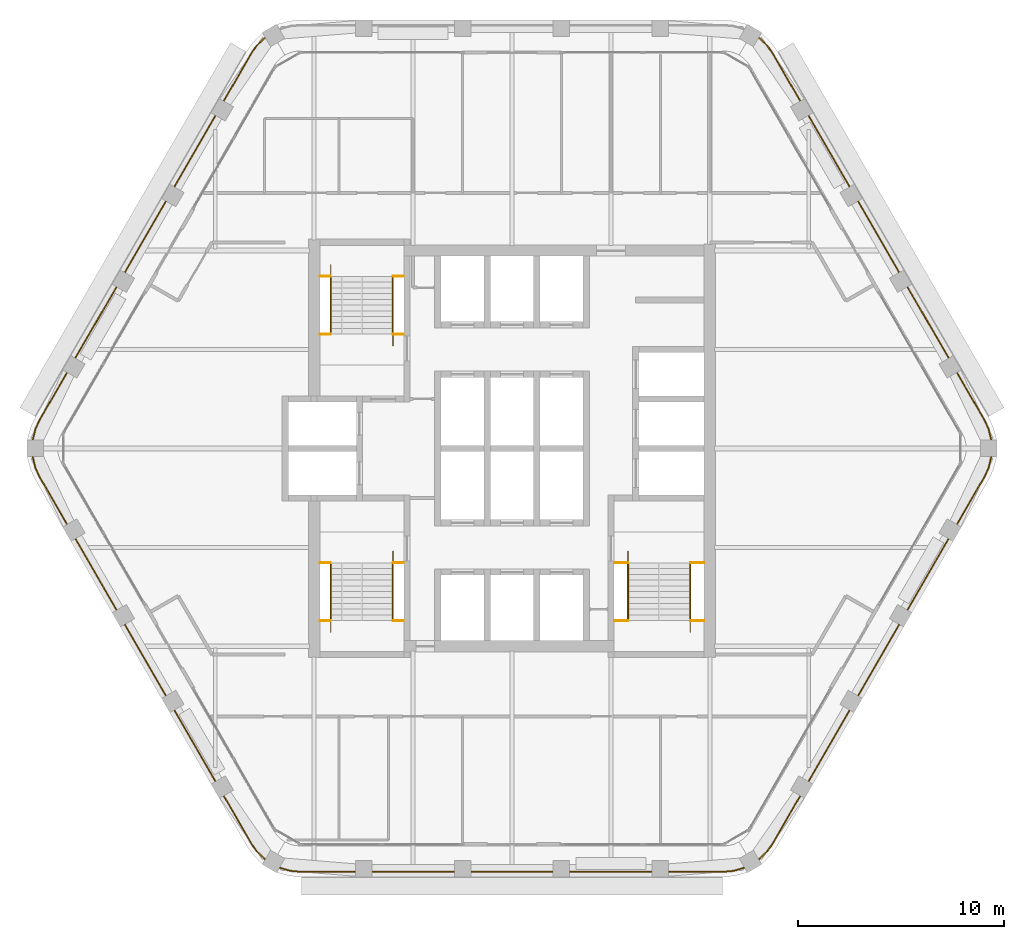
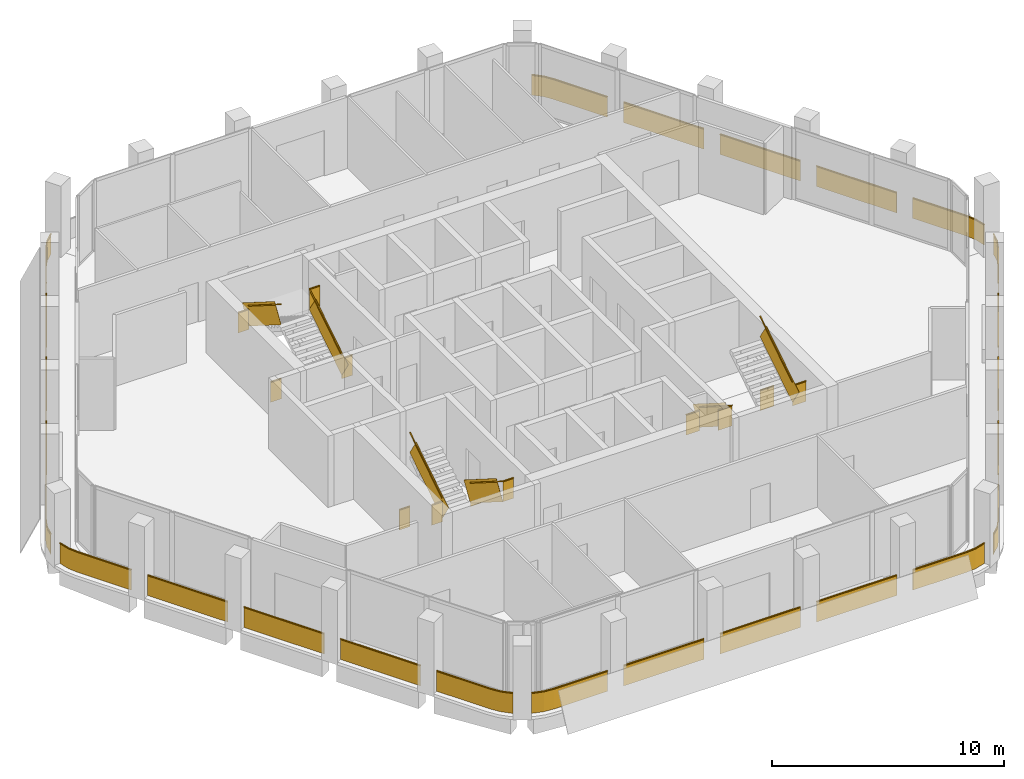
# One storey, part 12 of 13: 11 railings.
"""IFC4 building model written with IfcOpenShell, lengths in metres."""

from ifc_helpers import new_model, si_unit, direction, frame, frame_2d, origin, origin_2d, place, context, subcontext, project, spatial, rectangle, extrude, material, type_object, element, save


model = new_model("IFC4")

# Units and contexts
model_context = context("Model", 3, precision=1e-05, world=origin(), true_north=direction((0.0, 1.0)))
body_context = subcontext(model_context, "Body", "Model", "MODEL_VIEW")
ifc_project = project(units=[si_unit("LENGTHUNIT", "METRE"), si_unit("AREAUNIT", "SQUARE_METRE"), si_unit("VOLUMEUNIT", "CUBIC_METRE"), si_unit("PLANEANGLEUNIT", "RADIAN"), si_unit("MASSUNIT", "GRAM", prefix="KILO")], contexts=[model_context])

# Site, building, storey
site_placement = place(None, origin())
site = spatial("IfcSite", under=ifc_project, at=site_placement, CompositionType="ELEMENT")
building_placement = place(site_placement, origin())
building = spatial("IfcBuilding", under=site, at=building_placement, Name="Kolab Exchange Tower", CompositionType="ELEMENT")
storey_placement = place(building_placement, frame((0.0, 0.0, 230.60009765625)))
storey = spatial("IfcBuildingStorey", under=building, at=storey_placement, Name="L50", CompositionType="ELEMENT", Elevation=230.60009765625)

# Railings
ifc_material_1 = material(Name="Stainless steel 316", Category="steel")
railing_type_1 = type_object("IfcRailingType", Name="GUARD 1100", PredefinedType="GUARDRAIL", material=ifc_material_1)
railing_1_placement = place(storey_placement, frame((-9.324951171875, 5.550048828125, 0.0)))
element("IfcRailing", 1, at=railing_1_placement, inside=storey, type_object=railing_type_1, Name="Guard ST1", PredefinedType="GUARDRAIL", context=body_context, shape_type="SweptSolid", body=[
    extrude(rectangle(XDim=0.05, YDim=0.05, at=origin_2d()), frame((0.0, 0.0, 1.0751953125), z_axis=(1.0, 0.0, 0.0), x_axis=(0.0, 1.0, 0.0)), (0.0, 0.0, 1.0), 0.52734375),
    extrude(rectangle(XDim=0.012, YDim=1.05009765625, at=frame_2d((0.0, 0.525146484375))), frame((0.0, 0.0, 0.0), z_axis=(1.0, 0.0, 0.0), x_axis=(0.0, 1.0, 0.0)), (0.0, 0.0, 1.0), 0.52734375),
    extrude(rectangle(XDim=0.05, YDim=0.05, at=origin_2d()), frame((3.54736328125, 0.0, 1.0751953125), z_axis=(1.0, 0.0, 0.0), x_axis=(0.0, 1.0, 0.0)), (0.0, 0.0, 1.0), 0.527587890625),
    extrude(rectangle(XDim=0.012, YDim=1.05009765625, at=frame_2d((0.0, 0.525146484375))), frame((3.54736328125, 0.0, 0.0), z_axis=(1.0, 0.0, 0.0), x_axis=(0.0, 1.0, 0.0)), (0.0, 0.0, 1.0), 0.527587890625),
    extrude(rectangle(XDim=0.05, YDim=0.05, at=origin_2d()), frame((0.0, 2.800048828125, 3.025146484375), z_axis=(1.0, 0.0, 0.0), x_axis=(0.0, 1.0, 0.0)), (0.0, 0.0, 1.0), 0.52734375),
    extrude(rectangle(XDim=0.012, YDim=1.05009765625, at=frame_2d((0.0, 0.525146484375))), frame((0.0, 2.800048828125, 1.949951171875), z_axis=(1.0, 0.0, 0.0), x_axis=(0.0, 1.0, 0.0)), (0.0, 0.0, 1.0), 0.52734375),
    extrude(rectangle(XDim=0.05, YDim=0.05, at=origin_2d()), frame((3.54736328125, 2.800048828125, 3.025146484375), z_axis=(1.0, 0.0, 0.0), x_axis=(0.0, 1.0, 0.0)), (0.0, 0.0, 1.0), 0.527587890625),
    extrude(rectangle(XDim=0.012, YDim=1.05009765625, at=frame_2d((0.0, 0.525146484375))), frame((3.54736328125, 2.800048828125, 1.949951171875), z_axis=(1.0, 0.0, 0.0), x_axis=(0.0, 1.0, 0.0)), (0.0, 0.0, 1.0), 0.527587890625),
])
railing_2_placement = place(storey_placement, frame((-5.777587890625, 5.550048828125, 0.17724609375)))
element("IfcRailing", 2, at=railing_2_placement, inside=storey, type_object=railing_type_1, Name="Handrail guard ST1", PredefinedType="GUARDRAIL", context=body_context, shape_type="SweptSolid", body=[
    extrude(rectangle(XDim=0.05, YDim=0.05, at=origin_2d()), frame((0.0, 0.0, 1.0751953125), z_axis=(0.0, 0.844908973607, 0.534910110503), x_axis=(-1.0, 0.0, 0.0)), (0.0, 0.0, 1.0), 3.31396484375),
    extrude(rectangle(XDim=0.012, YDim=1.05009765625, at=frame_2d((0.0, 0.525146484375))), frame((0.0, 0.0, 0.0), z_axis=(0.0, 0.844908973607, 0.534910110503), x_axis=(-1.0, 0.0, 0.0)), (0.0, 0.0, 1.0), 3.31396484375),
    extrude(rectangle(XDim=0.05, YDim=0.05, at=origin_2d()), frame((-3.02001953125, 2.800048828125, 3.025146484375), z_axis=(0.0, -0.844908973607, 0.534910110503), x_axis=(1.0, 0.0, 0.0)), (0.0, 0.0, 1.0), 3.31396484375),
    extrude(rectangle(XDim=0.012, YDim=1.05009765625, at=frame_2d((0.0, 0.525146484375))), frame((-3.02001953125, 2.800048828125, 1.949951171875), z_axis=(0.0, -0.844908973607, 0.534910110503), x_axis=(1.0, 0.0, 0.0)), (0.0, 0.0, 1.0), 3.31396484375),
])
railing_3_placement = place(storey_placement, frame((-9.324951171875, -5.550048828125, 0.0)))
element("IfcRailing", 3, at=railing_3_placement, inside=storey, type_object=railing_type_1, Name="Guard ST3", PredefinedType="GUARDRAIL", context=body_context, shape_type="SweptSolid", body=[
    extrude(rectangle(XDim=0.05, YDim=0.05, at=origin_2d()), frame((0.0, 0.0, 1.0751953125), z_axis=(1.0, 0.0, 0.0), x_axis=(0.0, 1.0, 0.0)), (0.0, 0.0, 1.0), 0.52734375),
    extrude(rectangle(XDim=0.012, YDim=1.05009765625, at=frame_2d((0.0, 0.525146484375))), frame((0.0, 0.0, 0.0), z_axis=(1.0, 0.0, 0.0), x_axis=(0.0, 1.0, 0.0)), (0.0, 0.0, 1.0), 0.52734375),
    extrude(rectangle(XDim=0.05, YDim=0.05, at=origin_2d()), frame((3.54736328125, 0.0, 1.0751953125), z_axis=(1.0, 0.0, 0.0), x_axis=(0.0, 1.0, 0.0)), (0.0, 0.0, 1.0), 0.527587890625),
    extrude(rectangle(XDim=0.012, YDim=1.05009765625, at=frame_2d((0.0, 0.525146484375))), frame((3.54736328125, 0.0, 0.0), z_axis=(1.0, 0.0, 0.0), x_axis=(0.0, 1.0, 0.0)), (0.0, 0.0, 1.0), 0.527587890625),
    extrude(rectangle(XDim=0.05, YDim=0.05, at=origin_2d()), frame((0.0, -2.800048828125, 3.025146484375), z_axis=(1.0, 0.0, 0.0), x_axis=(0.0, 1.0, 0.0)), (0.0, 0.0, 1.0), 0.52734375),
    extrude(rectangle(XDim=0.012, YDim=1.05009765625, at=frame_2d((0.0, 0.525146484375))), frame((0.0, -2.800048828125, 1.949951171875), z_axis=(1.0, 0.0, 0.0), x_axis=(0.0, 1.0, 0.0)), (0.0, 0.0, 1.0), 0.52734375),
    extrude(rectangle(XDim=0.05, YDim=0.05, at=origin_2d()), frame((3.54736328125, -2.800048828125, 3.025146484375), z_axis=(1.0, 0.0, 0.0), x_axis=(0.0, 1.0, 0.0)), (0.0, 0.0, 1.0), 0.527587890625),
    extrude(rectangle(XDim=0.012, YDim=1.05009765625, at=frame_2d((0.0, 0.525146484375))), frame((3.54736328125, -2.800048828125, 1.949951171875), z_axis=(1.0, 0.0, 0.0), x_axis=(0.0, 1.0, 0.0)), (0.0, 0.0, 1.0), 0.527587890625),
])
railing_4_placement = place(storey_placement, frame((-5.777587890625, -5.550048828125, 0.17724609375)))
element("IfcRailing", 4, at=railing_4_placement, inside=storey, type_object=railing_type_1, Name="Handrail guard ST3", PredefinedType="GUARDRAIL", context=body_context, shape_type="SweptSolid", body=[
    extrude(rectangle(XDim=0.05, YDim=0.05, at=origin_2d()), frame((0.0, 0.0, 1.0751953125), z_axis=(0.0, -0.844908973607, 0.534910110503), x_axis=(1.0, 0.0, 0.0)), (0.0, 0.0, 1.0), 3.31396484375),
    extrude(rectangle(XDim=0.012, YDim=1.05009765625, at=frame_2d((0.0, 0.525146484375))), frame((0.0, 0.0, 0.0), z_axis=(0.0, -0.844908973607, 0.534910110503), x_axis=(1.0, 0.0, 0.0)), (0.0, 0.0, 1.0), 3.31396484375),
    extrude(rectangle(XDim=0.05, YDim=0.05, at=origin_2d()), frame((-3.02001953125, -2.800048828125, 3.025146484375), z_axis=(0.0, 0.844908973607, 0.534910110503), x_axis=(-1.0, 0.0, 0.0)), (0.0, 0.0, 1.0), 3.31396484375),
    extrude(rectangle(XDim=0.012, YDim=1.05009765625, at=frame_2d((0.0, 0.525146484375))), frame((-3.02001953125, -2.800048828125, 1.949951171875), z_axis=(0.0, 0.844908973607, 0.534910110503), x_axis=(-1.0, 0.0, 0.0)), (0.0, 0.0, 1.0), 3.31396484375),
])
railing_5_placement = place(storey_placement, frame((4.949951171875, -5.550048828125, 0.0)))
element("IfcRailing", 5, at=railing_5_placement, inside=storey, type_object=railing_type_1, Name="Guard ST2", PredefinedType="GUARDRAIL", context=body_context, shape_type="SweptSolid", body=[
    extrude(rectangle(XDim=0.05, YDim=0.05, at=origin_2d()), frame((0.0, 0.0, 1.0751953125), z_axis=(1.0, 0.0, 0.0), x_axis=(0.0, 1.0, 0.0)), (0.0, 0.0, 1.0), 0.677490234375),
    extrude(rectangle(XDim=0.012, YDim=1.05009765625, at=frame_2d((0.0, 0.525146484375))), frame((0.0, 0.0, 0.0), z_axis=(1.0, 0.0, 0.0), x_axis=(0.0, 1.0, 0.0)), (0.0, 0.0, 1.0), 0.677490234375),
    extrude(rectangle(XDim=0.05, YDim=0.05, at=origin_2d()), frame((3.697509765625, 0.0, 1.0751953125), z_axis=(1.0, 0.0, 0.0), x_axis=(0.0, 1.0, 0.0)), (0.0, 0.0, 1.0), 0.677490234375),
    extrude(rectangle(XDim=0.012, YDim=1.05009765625, at=frame_2d((0.0, 0.525146484375))), frame((3.697509765625, 0.0, 0.0), z_axis=(1.0, 0.0, 0.0), x_axis=(0.0, 1.0, 0.0)), (0.0, 0.0, 1.0), 0.677490234375),
    extrude(rectangle(XDim=0.05, YDim=0.05, at=origin_2d()), frame((0.0, -2.800048828125, 3.025146484375), z_axis=(1.0, 0.0, 0.0), x_axis=(0.0, 1.0, 0.0)), (0.0, 0.0, 1.0), 0.677490234375),
    extrude(rectangle(XDim=0.012, YDim=1.05009765625, at=frame_2d((0.0, 0.525146484375))), frame((0.0, -2.800048828125, 1.949951171875), z_axis=(1.0, 0.0, 0.0), x_axis=(0.0, 1.0, 0.0)), (0.0, 0.0, 1.0), 0.677490234375),
    extrude(rectangle(XDim=0.05, YDim=0.05, at=origin_2d()), frame((3.697509765625, -2.800048828125, 3.025146484375), z_axis=(1.0, 0.0, 0.0), x_axis=(0.0, 1.0, 0.0)), (0.0, 0.0, 1.0), 0.677490234375),
    extrude(rectangle(XDim=0.012, YDim=1.05009765625, at=frame_2d((0.0, 0.525146484375))), frame((3.697509765625, -2.800048828125, 1.949951171875), z_axis=(1.0, 0.0, 0.0), x_axis=(0.0, 1.0, 0.0)), (0.0, 0.0, 1.0), 0.677490234375),
])
railing_6_placement = place(storey_placement, frame((5.62744140625, -5.550048828125, 0.17724609375)))
element("IfcRailing", 6, at=railing_6_placement, inside=storey, type_object=railing_type_1, Name="Handrail guard ST2", PredefinedType="GUARDRAIL", context=body_context, shape_type="SweptSolid", body=[
    extrude(rectangle(XDim=0.05, YDim=0.05, at=origin_2d()), frame((0.0, 0.0, 1.0751953125), z_axis=(0.0, -0.844908973607, 0.534910110503), x_axis=(1.0, 0.0, 0.0)), (0.0, 0.0, 1.0), 3.31396484375),
    extrude(rectangle(XDim=0.012, YDim=1.05009765625, at=frame_2d((0.0, 0.525146484375))), frame((0.0, 0.0, 0.0), z_axis=(0.0, -0.844908973607, 0.534910110503), x_axis=(1.0, 0.0, 0.0)), (0.0, 0.0, 1.0), 3.31396484375),
    extrude(rectangle(XDim=0.05, YDim=0.05, at=origin_2d()), frame((3.02001953125, -2.800048828125, 3.025146484375), z_axis=(0.0, 0.844908973607, 0.534910110503), x_axis=(-1.0, 0.0, 0.0)), (0.0, 0.0, 1.0), 3.31396484375),
    extrude(rectangle(XDim=0.012, YDim=1.05009765625, at=frame_2d((0.0, 0.525146484375))), frame((3.02001953125, -2.800048828125, 1.949951171875), z_axis=(0.0, 0.844908973607, 0.534910110503), x_axis=(-1.0, 0.0, 0.0)), (0.0, 0.0, 1.0), 3.31396484375),
])
ifc_material_2 = material(Name="Steel S235", Category="steel")
railing_type_2 = type_object("IfcRailingType", Name="GUARD 1100 GLASS BALUSTRADE AND STEEL TOP RAIL", PredefinedType="GUARDRAIL", material=ifc_material_2)
railing_7_placement = place(storey_placement, frame((23.2509765625, 0.3984375, 0.0)))
element("IfcRailing", 7, at=railing_7_placement, inside=storey, type_object=railing_type_2, Name="Guard", PredefinedType="GUARDRAIL", context=body_context, shape_type="SweptSolid", body=[
    extrude(rectangle(XDim=0.05, YDim=0.05, at=origin_2d()), frame((0.0, 0.0, 1.0751953125), z_axis=(-0.234597748196, 0.972092534968, 0.0), x_axis=(-0.972092534968, -0.234597748196, 0.0)), (0.0, 0.0, 1.0), 0.557861328125),
    extrude(rectangle(XDim=0.012, YDim=1.05009765625, at=frame_2d((0.0, 0.525146484375))), frame((0.0, 0.0, 0.0), z_axis=(-0.234597748196, 0.972092534968, 0.0), x_axis=(-0.972092534968, -0.234597748196, 0.0)), (0.0, 0.0, 1.0), 0.557861328125),
    extrude(rectangle(XDim=0.05, YDim=0.05, at=origin_2d()), frame((-0.130859375, 0.542236328125, 1.0751953125), z_axis=(-0.422801802984, 0.906222177721, 0.0), x_axis=(-0.906222177721, -0.422801802984, 0.0)), (0.0, 0.0, 1.0), 0.479248046875),
    extrude(rectangle(XDim=0.012, YDim=1.05009765625, at=frame_2d((0.0, 0.525146484375))), frame((-0.130859375, 0.542236328125, 0.0), z_axis=(-0.422801802984, 0.906222177721, 0.0), x_axis=(-0.906222177721, -0.422801802984, 0.0)), (0.0, 0.0, 1.0), 0.479248046875),
    extrude(rectangle(XDim=0.05, YDim=0.05, at=origin_2d()), frame((-0.33349609375, 0.9765625, 1.0751953125), z_axis=(-0.499997052475, 0.866027105532, 0.0), x_axis=(-0.866027105532, -0.499997052475, 0.0)), (0.0, 0.0, 1.0), 2.66796875),
    extrude(rectangle(XDim=0.012, YDim=1.05009765625, at=frame_2d((0.0, 0.525146484375))), frame((-0.33349609375, 0.9765625, 0.0), z_axis=(-0.499997052475, 0.866027105532, 0.0), x_axis=(-0.866027105532, -0.499997052475, 0.0)), (0.0, 0.0, 1.0), 2.66796875),
    extrude(rectangle(XDim=0.05, YDim=0.05, at=origin_2d()), frame((-2.0673828125, 3.97998046875, 1.0751953125), z_axis=(-0.49999894854, 0.866026010844, 0.0), x_axis=(-0.866026010844, -0.49999894854, 0.0)), (0.0, 0.0, 1.0), 4.0),
    extrude(rectangle(XDim=0.012, YDim=1.05009765625, at=frame_2d((0.0, 0.525146484375))), frame((-2.0673828125, 3.97998046875, 0.0), z_axis=(-0.49999894854, 0.866026010844, 0.0), x_axis=(-0.866026010844, -0.49999894854, 0.0)), (0.0, 0.0, 1.0), 4.0),
    extrude(rectangle(XDim=0.05, YDim=0.05, at=origin_2d()), frame((-4.467529296875, 8.13671875, 1.0751953125), z_axis=(-0.49999894854, 0.866026010844, 0.0), x_axis=(-0.866026010844, -0.49999894854, 0.0)), (0.0, 0.0, 1.0), 4.0),
    extrude(rectangle(XDim=0.012, YDim=1.05009765625, at=frame_2d((0.0, 0.525146484375))), frame((-4.467529296875, 8.13671875, 0.0), z_axis=(-0.49999894854, 0.866026010844, 0.0), x_axis=(-0.866026010844, -0.49999894854, 0.0)), (0.0, 0.0, 1.0), 4.0),
    extrude(rectangle(XDim=0.05, YDim=0.05, at=origin_2d()), frame((-6.867431640625, 12.293701171875, 1.0751953125), z_axis=(-0.49999894854, 0.866026010844, 0.0), x_axis=(-0.866026010844, -0.49999894854, 0.0)), (0.0, 0.0, 1.0), 4.0),
    extrude(rectangle(XDim=0.012, YDim=1.05009765625, at=frame_2d((0.0, 0.525146484375))), frame((-6.867431640625, 12.293701171875, 0.0), z_axis=(-0.49999894854, 0.866026010844, 0.0), x_axis=(-0.866026010844, -0.49999894854, 0.0)), (0.0, 0.0, 1.0), 4.0),
    extrude(rectangle(XDim=0.05, YDim=0.05, at=origin_2d()), frame((-9.267578125, 16.45068359375, 1.0751953125), z_axis=(-0.499997052475, 0.866027105532, 0.0), x_axis=(-0.866027105532, -0.499997052475, 0.0)), (0.0, 0.0, 1.0), 2.66796875),
    extrude(rectangle(XDim=0.012, YDim=1.05009765625, at=frame_2d((0.0, 0.525146484375))), frame((-9.267578125, 16.45068359375, 0.0), z_axis=(-0.499997052475, 0.866027105532, 0.0), x_axis=(-0.866027105532, -0.499997052475, 0.0)), (0.0, 0.0, 1.0), 2.66796875),
    extrude(rectangle(XDim=0.05, YDim=0.05, at=origin_2d()), frame((-10.6015625, 18.76123046875, 1.0751953125), z_axis=(-0.573599091554, 0.819136180478, 0.0), x_axis=(-0.819136180478, -0.573599091554, 0.0)), (0.0, 0.0, 1.0), 0.479248046875),
    extrude(rectangle(XDim=0.012, YDim=1.05009765625, at=frame_2d((0.0, 0.525146484375))), frame((-10.6015625, 18.76123046875, 0.0), z_axis=(-0.573599091554, 0.819136180478, 0.0), x_axis=(-0.819136180478, -0.573599091554, 0.0)), (0.0, 0.0, 1.0), 0.479248046875),
    extrude(rectangle(XDim=0.05, YDim=0.05, at=origin_2d()), frame((-10.87646484375, 19.15380859375, 1.0751953125), z_axis=(-0.724189990991, 0.689600505327, 0.0), x_axis=(-0.689600505327, -0.724189990991, 0.0)), (0.0, 0.0, 1.0), 0.5576171875),
    extrude(rectangle(XDim=0.012, YDim=1.05009765625, at=frame_2d((0.0, 0.525146484375))), frame((-10.87646484375, 19.15380859375, 0.0), z_axis=(-0.724189990991, 0.689600505327, 0.0), x_axis=(-0.689600505327, -0.724189990991, 0.0)), (0.0, 0.0, 1.0), 0.5576171875),
])
railing_8_placement = place(storey_placement, frame((11.970703125, -19.936767578125, 0.0)))
element("IfcRailing", 8, at=railing_8_placement, inside=storey, type_object=railing_type_2, Name="Guard", PredefinedType="GUARDRAIL", context=body_context, shape_type="SweptSolid", body=[
    extrude(rectangle(XDim=0.05, YDim=0.05, at=origin_2d()), frame((0.0, 0.0, 1.0751953125), z_axis=(0.724189990991, 0.689600505327, 0.0), x_axis=(-0.689600505327, 0.724189990991, 0.0)), (0.0, 0.0, 1.0), 0.5576171875),
    extrude(rectangle(XDim=0.012, YDim=1.05009765625, at=frame_2d((0.0, 0.525146484375))), frame((0.0, 0.0, 0.0), z_axis=(0.724189990991, 0.689600505327, 0.0), x_axis=(-0.689600505327, 0.724189990991, 0.0)), (0.0, 0.0, 1.0), 0.5576171875),
    extrude(rectangle(XDim=0.05, YDim=0.05, at=origin_2d()), frame((0.40380859375, 0.384521484375, 1.0751953125), z_axis=(0.573599091554, 0.819136180478, 0.0), x_axis=(-0.819136180478, 0.573599091554, 0.0)), (0.0, 0.0, 1.0), 0.479248046875),
    extrude(rectangle(XDim=0.012, YDim=1.05009765625, at=frame_2d((0.0, 0.525146484375))), frame((0.40380859375, 0.384521484375, 0.0), z_axis=(0.573599091554, 0.819136180478, 0.0), x_axis=(-0.819136180478, 0.573599091554, 0.0)), (0.0, 0.0, 1.0), 0.479248046875),
    extrude(rectangle(XDim=0.05, YDim=0.05, at=origin_2d()), frame((0.6787109375, 0.777099609375, 1.0751953125), z_axis=(0.499997052475, 0.866027105532, 0.0), x_axis=(-0.866027105532, 0.499997052475, 0.0)), (0.0, 0.0, 1.0), 2.66796875),
    extrude(rectangle(XDim=0.012, YDim=1.05009765625, at=frame_2d((0.0, 0.525146484375))), frame((0.6787109375, 0.777099609375, 0.0), z_axis=(0.499997052475, 0.866027105532, 0.0), x_axis=(-0.866027105532, 0.499997052475, 0.0)), (0.0, 0.0, 1.0), 2.66796875),
    extrude(rectangle(XDim=0.05, YDim=0.05, at=origin_2d()), frame((2.412841796875, 3.780517578125, 1.0751953125), z_axis=(0.49999894854, 0.866026010844, 0.0), x_axis=(-0.866026010844, 0.49999894854, 0.0)), (0.0, 0.0, 1.0), 4.0),
    extrude(rectangle(XDim=0.012, YDim=1.05009765625, at=frame_2d((0.0, 0.525146484375))), frame((2.412841796875, 3.780517578125, 0.0), z_axis=(0.49999894854, 0.866026010844, 0.0), x_axis=(-0.866026010844, 0.49999894854, 0.0)), (0.0, 0.0, 1.0), 4.0),
    extrude(rectangle(XDim=0.05, YDim=0.05, at=origin_2d()), frame((4.812744140625, 7.9375, 1.0751953125), z_axis=(0.49999894854, 0.866026010844, 0.0), x_axis=(-0.866026010844, 0.49999894854, 0.0)), (0.0, 0.0, 1.0), 4.0),
    extrude(rectangle(XDim=0.012, YDim=1.05009765625, at=frame_2d((0.0, 0.525146484375))), frame((4.812744140625, 7.9375, 0.0), z_axis=(0.49999894854, 0.866026010844, 0.0), x_axis=(-0.866026010844, 0.49999894854, 0.0)), (0.0, 0.0, 1.0), 4.0),
    extrude(rectangle(XDim=0.05, YDim=0.05, at=origin_2d()), frame((7.212890625, 12.09423828125, 1.0751953125), z_axis=(0.49999894854, 0.866026010844, 0.0), x_axis=(-0.866026010844, 0.49999894854, 0.0)), (0.0, 0.0, 1.0), 4.0),
    extrude(rectangle(XDim=0.012, YDim=1.05009765625, at=frame_2d((0.0, 0.525146484375))), frame((7.212890625, 12.09423828125, 0.0), z_axis=(0.49999894854, 0.866026010844, 0.0), x_axis=(-0.866026010844, 0.49999894854, 0.0)), (0.0, 0.0, 1.0), 4.0),
    extrude(rectangle(XDim=0.05, YDim=0.05, at=origin_2d()), frame((9.61279296875, 16.251220703125, 1.0751953125), z_axis=(0.499997052475, 0.866027105532, 0.0), x_axis=(-0.866027105532, 0.499997052475, 0.0)), (0.0, 0.0, 1.0), 2.66796875),
    extrude(rectangle(XDim=0.012, YDim=1.05009765625, at=frame_2d((0.0, 0.525146484375))), frame((9.61279296875, 16.251220703125, 0.0), z_axis=(0.499997052475, 0.866027105532, 0.0), x_axis=(-0.866027105532, 0.499997052475, 0.0)), (0.0, 0.0, 1.0), 2.66796875),
    extrude(rectangle(XDim=0.05, YDim=0.05, at=origin_2d()), frame((10.94677734375, 18.561767578125, 1.0751953125), z_axis=(0.422801802984, 0.906222177721, 0.0), x_axis=(-0.906222177721, 0.422801802984, 0.0)), (0.0, 0.0, 1.0), 0.479248046875),
    extrude(rectangle(XDim=0.012, YDim=1.05009765625, at=frame_2d((0.0, 0.525146484375))), frame((10.94677734375, 18.561767578125, 0.0), z_axis=(0.422801802984, 0.906222177721, 0.0), x_axis=(-0.906222177721, 0.422801802984, 0.0)), (0.0, 0.0, 1.0), 0.479248046875),
    extrude(rectangle(XDim=0.05, YDim=0.05, at=origin_2d()), frame((11.1494140625, 18.99609375, 1.0751953125), z_axis=(0.234597748196, 0.972092534968, 0.0), x_axis=(-0.972092534968, 0.234597748196, 0.0)), (0.0, 0.0, 1.0), 0.557861328125),
    extrude(rectangle(XDim=0.012, YDim=1.05009765625, at=frame_2d((0.0, 0.525146484375))), frame((11.1494140625, 18.99609375, 0.0), z_axis=(0.234597748196, 0.972092534968, 0.0), x_axis=(-0.972092534968, 0.234597748196, 0.0)), (0.0, 0.0, 1.0), 0.557861328125),
])
railing_9_placement = place(storey_placement, frame((-11.280517578125, -20.335205078125, 0.0)))
element("IfcRailing", 9, at=railing_9_placement, inside=storey, type_object=railing_type_2, Name="Guard", PredefinedType="GUARDRAIL", context=body_context, shape_type="SweptSolid", body=[
    extrude(rectangle(XDim=0.05, YDim=0.05, at=origin_2d()), frame((0.0, 0.0, 1.0751953125), z_axis=(0.959212061764, -0.282687496304, 0.0), x_axis=(0.282687496304, 0.959212061764, 0.0)), (0.0, 0.0, 1.0), 0.557861328125),
    extrude(rectangle(XDim=0.012, YDim=1.05009765625, at=frame_2d((0.0, 0.525146484375))), frame((0.0, 0.0, 0.0), z_axis=(0.959212061764, -0.282687496304, 0.0), x_axis=(0.282687496304, 0.959212061764, 0.0)), (0.0, 0.0, 1.0), 0.557861328125),
    extrude(rectangle(XDim=0.05, YDim=0.05, at=origin_2d()), frame((0.53515625, -0.15771484375, 1.0751953125), z_axis=(0.996196482496, -0.087135344505, 0.0), x_axis=(0.087135344505, 0.996196482496, 0.0)), (0.0, 0.0, 1.0), 0.47900390625),
    extrude(rectangle(XDim=0.012, YDim=1.05009765625, at=frame_2d((0.0, 0.525146484375))), frame((0.53515625, -0.15771484375, 0.0), z_axis=(0.996196482496, -0.087135344505, 0.0), x_axis=(0.087135344505, 0.996196482496, 0.0)), (0.0, 0.0, 1.0), 0.47900390625),
    extrude(rectangle(XDim=0.05, YDim=0.05, at=origin_2d()), frame((1.012451171875, -0.199462890625, 1.0751953125), z_axis=(1.0, 0.0, 0.0), x_axis=(0.0, 1.0, 0.0)), (0.0, 0.0, 1.0), 2.66796875),
    extrude(rectangle(XDim=0.012, YDim=1.05009765625, at=frame_2d((0.0, 0.525146484375))), frame((1.012451171875, -0.199462890625, 0.0), z_axis=(1.0, 0.0, 0.0), x_axis=(0.0, 1.0, 0.0)), (0.0, 0.0, 1.0), 2.66796875),
    extrude(rectangle(XDim=0.05, YDim=0.05, at=origin_2d()), frame((4.48046875, -0.199462890625, 1.0751953125), z_axis=(1.0, 0.0, 0.0), x_axis=(0.0, 1.0, 0.0)), (0.0, 0.0, 1.0), 4.0),
    extrude(rectangle(XDim=0.012, YDim=1.05009765625, at=frame_2d((0.0, 0.525146484375))), frame((4.48046875, -0.199462890625, 0.0), z_axis=(1.0, 0.0, 0.0), x_axis=(0.0, 1.0, 0.0)), (0.0, 0.0, 1.0), 4.0),
    extrude(rectangle(XDim=0.05, YDim=0.05, at=origin_2d()), frame((9.280517578125, -0.199462890625, 1.0751953125), z_axis=(1.0, 0.0, 0.0), x_axis=(0.0, 1.0, 0.0)), (0.0, 0.0, 1.0), 4.0),
    extrude(rectangle(XDim=0.012, YDim=1.05009765625, at=frame_2d((0.0, 0.525146484375))), frame((9.280517578125, -0.199462890625, 0.0), z_axis=(1.0, 0.0, 0.0), x_axis=(0.0, 1.0, 0.0)), (0.0, 0.0, 1.0), 4.0),
    extrude(rectangle(XDim=0.05, YDim=0.05, at=origin_2d()), frame((14.08056640625, -0.199462890625, 1.0751953125), z_axis=(1.0, 0.0, 0.0), x_axis=(0.0, 1.0, 0.0)), (0.0, 0.0, 1.0), 4.0),
    extrude(rectangle(XDim=0.012, YDim=1.05009765625, at=frame_2d((0.0, 0.525146484375))), frame((14.08056640625, -0.199462890625, 0.0), z_axis=(1.0, 0.0, 0.0), x_axis=(0.0, 1.0, 0.0)), (0.0, 0.0, 1.0), 4.0),
    extrude(rectangle(XDim=0.05, YDim=0.05, at=origin_2d()), frame((18.880615234375, -0.199462890625, 1.0751953125), z_axis=(1.0, 0.0, 0.0), x_axis=(0.0, 1.0, 0.0)), (0.0, 0.0, 1.0), 2.66796875),
    extrude(rectangle(XDim=0.012, YDim=1.05009765625, at=frame_2d((0.0, 0.525146484375))), frame((18.880615234375, -0.199462890625, 0.0), z_axis=(1.0, 0.0, 0.0), x_axis=(0.0, 1.0, 0.0)), (0.0, 0.0, 1.0), 2.66796875),
    extrude(rectangle(XDim=0.05, YDim=0.05, at=origin_2d()), frame((21.548583984375, -0.199462890625, 1.0751953125), z_axis=(0.996196482496, 0.087135344505, 0.0), x_axis=(-0.087135344505, 0.996196482496, 0.0)), (0.0, 0.0, 1.0), 0.47900390625),
    extrude(rectangle(XDim=0.012, YDim=1.05009765625, at=frame_2d((0.0, 0.525146484375))), frame((21.548583984375, -0.199462890625, 0.0), z_axis=(0.996196482496, 0.087135344505, 0.0), x_axis=(-0.087135344505, 0.996196482496, 0.0)), (0.0, 0.0, 1.0), 0.47900390625),
    extrude(rectangle(XDim=0.05, YDim=0.05, at=origin_2d()), frame((22.02587890625, -0.15771484375, 1.0751953125), z_axis=(0.959212061764, 0.282687496304, 0.0), x_axis=(-0.282687496304, 0.959212061764, 0.0)), (0.0, 0.0, 1.0), 0.557861328125),
    extrude(rectangle(XDim=0.012, YDim=1.05009765625, at=frame_2d((0.0, 0.525146484375))), frame((22.02587890625, -0.15771484375, 0.0), z_axis=(0.959212061764, 0.282687496304, 0.0), x_axis=(-0.282687496304, 0.959212061764, 0.0)), (0.0, 0.0, 1.0), 0.557861328125),
])
railing_10_placement = place(storey_placement, frame((-23.2509765625, -0.3984375, 0.0)))
element("IfcRailing", 10, at=railing_10_placement, inside=storey, type_object=railing_type_2, Name="Guard", PredefinedType="GUARDRAIL", context=body_context, shape_type="SweptSolid", body=[
    extrude(rectangle(XDim=0.05, YDim=0.05, at=origin_2d()), frame((0.0, 0.0, 1.0751953125), z_axis=(0.234597748196, -0.972092534968, 0.0), x_axis=(0.972092534968, 0.234597748196, 0.0)), (0.0, 0.0, 1.0), 0.557861328125),
    extrude(rectangle(XDim=0.012, YDim=1.05009765625, at=frame_2d((0.0, 0.525146484375))), frame((0.0, 0.0, 0.0), z_axis=(0.234597748196, -0.972092534968, 0.0), x_axis=(0.972092534968, 0.234597748196, 0.0)), (0.0, 0.0, 1.0), 0.557861328125),
    extrude(rectangle(XDim=0.05, YDim=0.05, at=origin_2d()), frame((0.130859375, -0.542236328125, 1.0751953125), z_axis=(0.422801802984, -0.906222177721, 0.0), x_axis=(0.906222177721, 0.422801802984, 0.0)), (0.0, 0.0, 1.0), 0.479248046875),
    extrude(rectangle(XDim=0.012, YDim=1.05009765625, at=frame_2d((0.0, 0.525146484375))), frame((0.130859375, -0.542236328125, 0.0), z_axis=(0.422801802984, -0.906222177721, 0.0), x_axis=(0.906222177721, 0.422801802984, 0.0)), (0.0, 0.0, 1.0), 0.479248046875),
    extrude(rectangle(XDim=0.05, YDim=0.05, at=origin_2d()), frame((0.33349609375, -0.9765625, 1.0751953125), z_axis=(0.499997052475, -0.866027105532, 0.0), x_axis=(0.866027105532, 0.499997052475, 0.0)), (0.0, 0.0, 1.0), 2.66796875),
    extrude(rectangle(XDim=0.012, YDim=1.05009765625, at=frame_2d((0.0, 0.525146484375))), frame((0.33349609375, -0.9765625, 0.0), z_axis=(0.499997052475, -0.866027105532, 0.0), x_axis=(0.866027105532, 0.499997052475, 0.0)), (0.0, 0.0, 1.0), 2.66796875),
    extrude(rectangle(XDim=0.05, YDim=0.05, at=origin_2d()), frame((2.0673828125, -3.97998046875, 1.0751953125), z_axis=(0.49999894854, -0.866026010844, 0.0), x_axis=(0.866026010844, 0.49999894854, 0.0)), (0.0, 0.0, 1.0), 4.0),
    extrude(rectangle(XDim=0.012, YDim=1.05009765625, at=frame_2d((0.0, 0.525146484375))), frame((2.0673828125, -3.97998046875, 0.0), z_axis=(0.49999894854, -0.866026010844, 0.0), x_axis=(0.866026010844, 0.49999894854, 0.0)), (0.0, 0.0, 1.0), 4.0),
    extrude(rectangle(XDim=0.05, YDim=0.05, at=origin_2d()), frame((4.467529296875, -8.13671875, 1.0751953125), z_axis=(0.49999894854, -0.866026010844, 0.0), x_axis=(0.866026010844, 0.49999894854, 0.0)), (0.0, 0.0, 1.0), 4.0),
    extrude(rectangle(XDim=0.012, YDim=1.05009765625, at=frame_2d((0.0, 0.525146484375))), frame((4.467529296875, -8.13671875, 0.0), z_axis=(0.49999894854, -0.866026010844, 0.0), x_axis=(0.866026010844, 0.49999894854, 0.0)), (0.0, 0.0, 1.0), 4.0),
    extrude(rectangle(XDim=0.05, YDim=0.05, at=origin_2d()), frame((6.867431640625, -12.293701171875, 1.0751953125), z_axis=(0.49999894854, -0.866026010844, 0.0), x_axis=(0.866026010844, 0.49999894854, 0.0)), (0.0, 0.0, 1.0), 4.0),
    extrude(rectangle(XDim=0.012, YDim=1.05009765625, at=frame_2d((0.0, 0.525146484375))), frame((6.867431640625, -12.293701171875, 0.0), z_axis=(0.49999894854, -0.866026010844, 0.0), x_axis=(0.866026010844, 0.49999894854, 0.0)), (0.0, 0.0, 1.0), 4.0),
    extrude(rectangle(XDim=0.05, YDim=0.05, at=origin_2d()), frame((9.267578125, -16.45068359375, 1.0751953125), z_axis=(0.499997052475, -0.866027105532, 0.0), x_axis=(0.866027105532, 0.499997052475, 0.0)), (0.0, 0.0, 1.0), 2.66796875),
    extrude(rectangle(XDim=0.012, YDim=1.05009765625, at=frame_2d((0.0, 0.525146484375))), frame((9.267578125, -16.45068359375, 0.0), z_axis=(0.499997052475, -0.866027105532, 0.0), x_axis=(0.866027105532, 0.499997052475, 0.0)), (0.0, 0.0, 1.0), 2.66796875),
    extrude(rectangle(XDim=0.05, YDim=0.05, at=origin_2d()), frame((10.6015625, -18.76123046875, 1.0751953125), z_axis=(0.573599091554, -0.819136180478, 0.0), x_axis=(0.819136180478, 0.573599091554, 0.0)), (0.0, 0.0, 1.0), 0.479248046875),
    extrude(rectangle(XDim=0.012, YDim=1.05009765625, at=frame_2d((0.0, 0.525146484375))), frame((10.6015625, -18.76123046875, 0.0), z_axis=(0.573599091554, -0.819136180478, 0.0), x_axis=(0.819136180478, 0.573599091554, 0.0)), (0.0, 0.0, 1.0), 0.479248046875),
    extrude(rectangle(XDim=0.05, YDim=0.05, at=origin_2d()), frame((10.87646484375, -19.15380859375, 1.0751953125), z_axis=(0.724189990991, -0.689600505327, 0.0), x_axis=(0.689600505327, 0.724189990991, 0.0)), (0.0, 0.0, 1.0), 0.5576171875),
    extrude(rectangle(XDim=0.012, YDim=1.05009765625, at=frame_2d((0.0, 0.525146484375))), frame((10.87646484375, -19.15380859375, 0.0), z_axis=(0.724189990991, -0.689600505327, 0.0), x_axis=(0.689600505327, 0.724189990991, 0.0)), (0.0, 0.0, 1.0), 0.5576171875),
])
railing_11_placement = place(storey_placement, frame((-11.970703125, 19.936767578125, 0.0)))
element("IfcRailing", 11, at=railing_11_placement, inside=storey, type_object=railing_type_2, Name="Guard", PredefinedType="GUARDRAIL", context=body_context, shape_type="SweptSolid", body=[
    extrude(rectangle(XDim=0.05, YDim=0.05, at=origin_2d()), frame((0.0, 0.0, 1.0751953125), z_axis=(-0.724189990991, -0.689600505327, 0.0), x_axis=(0.689600505327, -0.724189990991, 0.0)), (0.0, 0.0, 1.0), 0.5576171875),
    extrude(rectangle(XDim=0.012, YDim=1.05009765625, at=frame_2d((0.0, 0.525146484375))), frame((0.0, 0.0, 0.0), z_axis=(-0.724189990991, -0.689600505327, 0.0), x_axis=(0.689600505327, -0.724189990991, 0.0)), (0.0, 0.0, 1.0), 0.5576171875),
    extrude(rectangle(XDim=0.05, YDim=0.05, at=origin_2d()), frame((-0.40380859375, -0.384521484375, 1.0751953125), z_axis=(-0.573599091554, -0.819136180478, 0.0), x_axis=(0.819136180478, -0.573599091554, 0.0)), (0.0, 0.0, 1.0), 0.479248046875),
    extrude(rectangle(XDim=0.012, YDim=1.05009765625, at=frame_2d((0.0, 0.525146484375))), frame((-0.40380859375, -0.384521484375, 0.0), z_axis=(-0.573599091554, -0.819136180478, 0.0), x_axis=(0.819136180478, -0.573599091554, 0.0)), (0.0, 0.0, 1.0), 0.479248046875),
    extrude(rectangle(XDim=0.05, YDim=0.05, at=origin_2d()), frame((-0.6787109375, -0.777099609375, 1.0751953125), z_axis=(-0.499997052475, -0.866027105532, 0.0), x_axis=(0.866027105532, -0.499997052475, 0.0)), (0.0, 0.0, 1.0), 2.66796875),
    extrude(rectangle(XDim=0.012, YDim=1.05009765625, at=frame_2d((0.0, 0.525146484375))), frame((-0.6787109375, -0.777099609375, 0.0), z_axis=(-0.499997052475, -0.866027105532, 0.0), x_axis=(0.866027105532, -0.499997052475, 0.0)), (0.0, 0.0, 1.0), 2.66796875),
    extrude(rectangle(XDim=0.05, YDim=0.05, at=origin_2d()), frame((-2.412841796875, -3.780517578125, 1.0751953125), z_axis=(-0.49999894854, -0.866026010844, 0.0), x_axis=(0.866026010844, -0.49999894854, 0.0)), (0.0, 0.0, 1.0), 4.0),
    extrude(rectangle(XDim=0.012, YDim=1.05009765625, at=frame_2d((0.0, 0.525146484375))), frame((-2.412841796875, -3.780517578125, 0.0), z_axis=(-0.49999894854, -0.866026010844, 0.0), x_axis=(0.866026010844, -0.49999894854, 0.0)), (0.0, 0.0, 1.0), 4.0),
    extrude(rectangle(XDim=0.05, YDim=0.05, at=origin_2d()), frame((-4.812744140625, -7.9375, 1.0751953125), z_axis=(-0.49999894854, -0.866026010844, 0.0), x_axis=(0.866026010844, -0.49999894854, 0.0)), (0.0, 0.0, 1.0), 4.0),
    extrude(rectangle(XDim=0.012, YDim=1.05009765625, at=frame_2d((0.0, 0.525146484375))), frame((-4.812744140625, -7.9375, 0.0), z_axis=(-0.49999894854, -0.866026010844, 0.0), x_axis=(0.866026010844, -0.49999894854, 0.0)), (0.0, 0.0, 1.0), 4.0),
    extrude(rectangle(XDim=0.05, YDim=0.05, at=origin_2d()), frame((-7.212890625, -12.09423828125, 1.0751953125), z_axis=(-0.49999894854, -0.866026010844, 0.0), x_axis=(0.866026010844, -0.49999894854, 0.0)), (0.0, 0.0, 1.0), 4.0),
    extrude(rectangle(XDim=0.012, YDim=1.05009765625, at=frame_2d((0.0, 0.525146484375))), frame((-7.212890625, -12.09423828125, 0.0), z_axis=(-0.49999894854, -0.866026010844, 0.0), x_axis=(0.866026010844, -0.49999894854, 0.0)), (0.0, 0.0, 1.0), 4.0),
    extrude(rectangle(XDim=0.05, YDim=0.05, at=origin_2d()), frame((-9.61279296875, -16.251220703125, 1.0751953125), z_axis=(-0.499997052475, -0.866027105532, 0.0), x_axis=(0.866027105532, -0.499997052475, 0.0)), (0.0, 0.0, 1.0), 2.66796875),
    extrude(rectangle(XDim=0.012, YDim=1.05009765625, at=frame_2d((0.0, 0.525146484375))), frame((-9.61279296875, -16.251220703125, 0.0), z_axis=(-0.499997052475, -0.866027105532, 0.0), x_axis=(0.866027105532, -0.499997052475, 0.0)), (0.0, 0.0, 1.0), 2.66796875),
    extrude(rectangle(XDim=0.05, YDim=0.05, at=origin_2d()), frame((-10.94677734375, -18.561767578125, 1.0751953125), z_axis=(-0.422801802984, -0.906222177721, 0.0), x_axis=(0.906222177721, -0.422801802984, 0.0)), (0.0, 0.0, 1.0), 0.479248046875),
    extrude(rectangle(XDim=0.012, YDim=1.05009765625, at=frame_2d((0.0, 0.525146484375))), frame((-10.94677734375, -18.561767578125, 0.0), z_axis=(-0.422801802984, -0.906222177721, 0.0), x_axis=(0.906222177721, -0.422801802984, 0.0)), (0.0, 0.0, 1.0), 0.479248046875),
    extrude(rectangle(XDim=0.05, YDim=0.05, at=origin_2d()), frame((-11.1494140625, -18.99609375, 1.0751953125), z_axis=(-0.234597748196, -0.972092534968, 0.0), x_axis=(0.972092534968, -0.234597748196, 0.0)), (0.0, 0.0, 1.0), 0.557861328125),
    extrude(rectangle(XDim=0.012, YDim=1.05009765625, at=frame_2d((0.0, 0.525146484375))), frame((-11.1494140625, -18.99609375, 0.0), z_axis=(-0.234597748196, -0.972092534968, 0.0), x_axis=(0.972092534968, -0.234597748196, 0.0)), (0.0, 0.0, 1.0), 0.557861328125),
])

save(model, "model.ifc")
